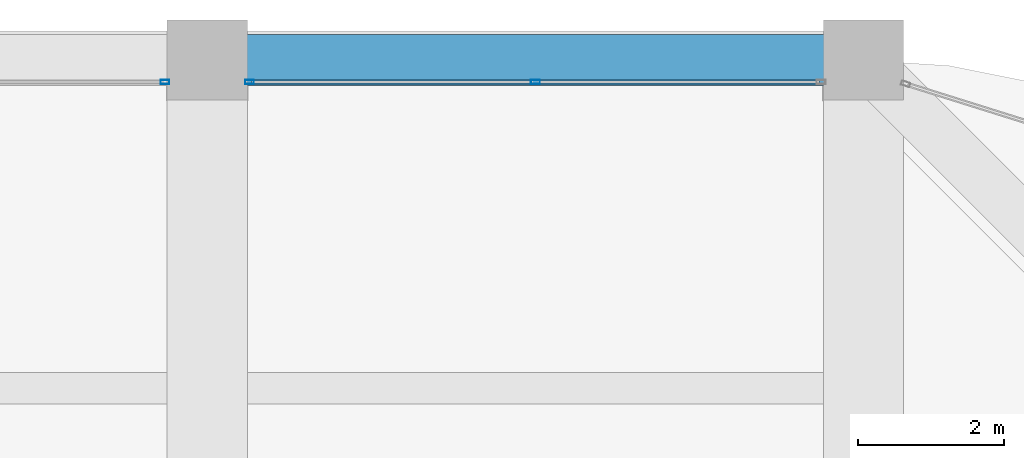
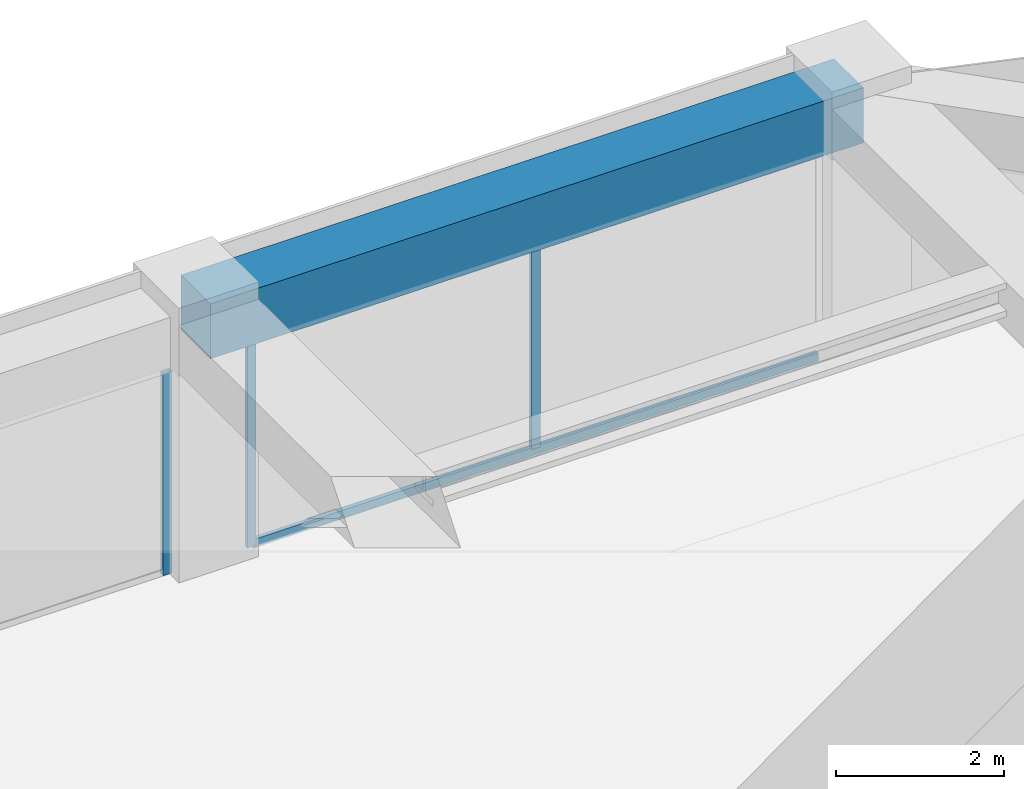
# One storey, part 35 of 44: 4 members, 1 beam, 2 elements without a shape of their own.
"""IFC4 building model written with IfcOpenShell, lengths in metres."""

from ifc_helpers import new_model, si_unit, direction, frame, origin, origin_2d, place, context, subcontext, project, spatial, rectangle, hollow_rectangle, extrude, material, material_profile, profile_set, type_object, element, aggregate, save


model = new_model("IFC4")

# Units and contexts
model_context = context("Model", 3, precision=1e-05, world=origin(), true_north=direction((0.0, 1.0)))
body_context = subcontext(model_context, "Body", "Model", "MODEL_VIEW")
ifc_project = project(units=[si_unit("LENGTHUNIT", "METRE"), si_unit("AREAUNIT", "SQUARE_METRE"), si_unit("VOLUMEUNIT", "CUBIC_METRE"), si_unit("PLANEANGLEUNIT", "RADIAN"), si_unit("MASSUNIT", "GRAM", prefix="KILO")], contexts=[model_context])

# Site, building, storey
site_placement = place(None, origin())
site = spatial("IfcSite", under=ifc_project, at=site_placement, CompositionType="ELEMENT")
building_placement = place(site_placement, origin())
building = spatial("IfcBuilding", under=site, at=building_placement, Name="Zorevar Civic Tower", CompositionType="ELEMENT")
storey_placement = place(building_placement, frame((0.0, 0.0, 287.39990234375)))
storey = spatial("IfcBuildingStorey", under=building, at=storey_placement, Name="L70", CompositionType="ELEMENT", Elevation=287.39990234375)

# Curtain wall, member
ifc_material_1 = material(Name="Dark grey solar-control glass in black aluminium frame", Category="aluminium")
curtain_wall_type = type_object("IfcCurtainWallType", Name="Curtain wall CW5 top zone", PredefinedType="NOTDEFINED", material=ifc_material_1)
curtain_wall_1_placement = place(storey_placement, origin())
curtain_wall_1 = element("IfcCurtainWall", 1, at=curtain_wall_1_placement, inside=storey, type_object=curtain_wall_type, Name="CW5 L70", PredefinedType="NOTDEFINED")
ifc_material_2 = material(Name="Aluminium, black anodised", Category="aluminium")
ifc_material_profile_1 = material_profile(ifc_material_2, hollow_rectangle(XDim=0.06005859375, YDim=0.1201171875, WallThickness=0.0029296875, at=origin_2d()), Name="AL 120x60x3")
ifc_profile_set_1 = profile_set([ifc_material_profile_1], Name="Aluminium, black anodised")
member_type_1 = type_object("IfcMemberType", Name="CW5 mullion AL 120x60x3", PredefinedType="MULLION", material=ifc_profile_set_1)
member_1_placement = place(storey_placement, frame((35.419921875, 44.699951171875, 0.0), z_axis=(0.0, 0.0, 1.0), x_axis=(0.0, 1.0, 0.0)))
member_1 = element("IfcMember", 2, at=member_1_placement, type_object=member_type_1, Name="CW5 mullion 3", PredefinedType="MULLION", context=body_context, shape_type="SweptSolid", body=[
    extrude(hollow_rectangle(XDim=0.06005859375, YDim=0.1201171875, WallThickness=0.0029296875, at=origin_2d()), origin(), (0.0, 0.0, 1.0), 2.9501953125),
])
aggregate(curtain_wall_1, [member_1])

# Curtain wall, members
curtain_wall_2_placement = place(storey_placement, origin())
curtain_wall_2 = element("IfcCurtainWall", 3, at=curtain_wall_2_placement, inside=storey, type_object=curtain_wall_type, Name="CW5 L70", PredefinedType="NOTDEFINED")
member_2_placement = place(storey_placement, frame((36.580078125, 44.699951171875, 0.0), z_axis=(0.0, 0.0, 1.0), x_axis=(0.0, 1.0, 0.0)))
member_2 = element("IfcMember", 4, at=member_2_placement, type_object=member_type_1, Name="CW5 mullion 1", PredefinedType="MULLION", context=body_context, shape_type="SweptSolid", body=[
    extrude(hollow_rectangle(XDim=0.06005859375, YDim=0.1201171875, WallThickness=0.0029296875, at=origin_2d()), origin(), (0.0, 0.0, 1.0), 2.9501953125),
])
member_3_placement = place(storey_placement, frame((40.5, 44.699951171875, 0.06005859375), z_axis=(0.0, 0.0, 1.0), x_axis=(0.0, 1.0, 0.0)))
member_3 = element("IfcMember", 5, at=member_3_placement, type_object=member_type_1, Name="CW5 mullion 2", PredefinedType="MULLION", context=body_context, shape_type="SweptSolid", body=[
    extrude(hollow_rectangle(XDim=0.06005859375, YDim=0.1201171875, WallThickness=0.0029296875, at=origin_2d()), origin(), (0.0, 0.0, 1.0), 2.89013671875),
])
ifc_material_3 = material(Name="Aluminium, black anodised", Category="aluminium")
ifc_material_profile_2 = material_profile(ifc_material_3, hollow_rectangle(XDim=0.06005859375, YDim=0.1201171875, WallThickness=0.0029296875, at=origin_2d()), Name="AL 120x60x3")
ifc_profile_set_2 = profile_set([ifc_material_profile_2], Name="Aluminium, black anodised")
member_type_2 = type_object("IfcMemberType", Name="CW5 transom AL 120x60x3", PredefinedType="USERDEFINED", material=ifc_profile_set_2)
member_4_placement = place(storey_placement, frame((36.610107421875, 44.699951171875, 0.030029296875), z_axis=(1.0, 0.0, 0.0), x_axis=(0.0, 1.0, 0.0)))
member_4 = element("IfcMember", 6, at=member_4_placement, type_object=member_type_2, Name="CW5 sill transom", ObjectType="TRANSOM", PredefinedType="USERDEFINED", context=body_context, shape_type="SweptSolid", body=[
    extrude(hollow_rectangle(XDim=0.06005859375, YDim=0.1201171875, WallThickness=0.0029296875, at=origin_2d()), origin(), (0.0, 0.0, 1.0), 7.77978515625),
])
aggregate(curtain_wall_2, [member_2, member_3, member_4])

# Beam
ifc_material_4 = material(Name="Concrete C50/60", Category="concrete")
ifc_material_profile_3 = material_profile(ifc_material_4, rectangle(XDim=0.699951171875, YDim=0.800048828125, at=origin_2d()), Name="RC 700x800")
ifc_profile_set_3 = profile_set([ifc_material_profile_3], Name="Concrete C50/60")
beam_type = type_object("IfcBeamType", Name="Edge beam RC 700x800", PredefinedType="SPANDREL", material=ifc_profile_set_3)
beam_placement = place(storey_placement, frame((36.0, 45.0, 3.35009765625), z_axis=(1.0, 0.0, 0.0), x_axis=(0.0, 1.0, 0.0)))
element("IfcBeam", 7, at=beam_placement, inside=storey, type_object=beam_type, Name="Edge beam L71", PredefinedType="SPANDREL", context=body_context, shape_type="SweptSolid", body=[
    extrude(rectangle(XDim=0.699951171875, YDim=0.800048828125, at=origin_2d()), origin(), (0.0, 0.0, 1.0), 9.0),
])

save(model, "model.ifc")
